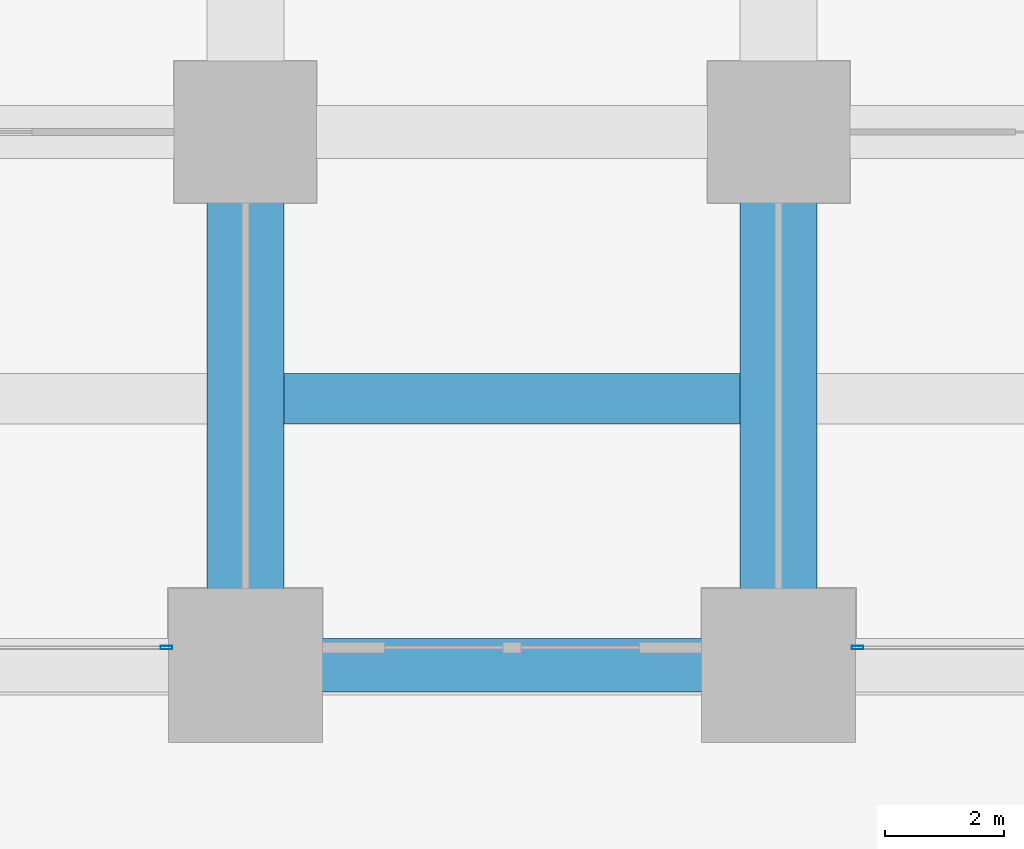
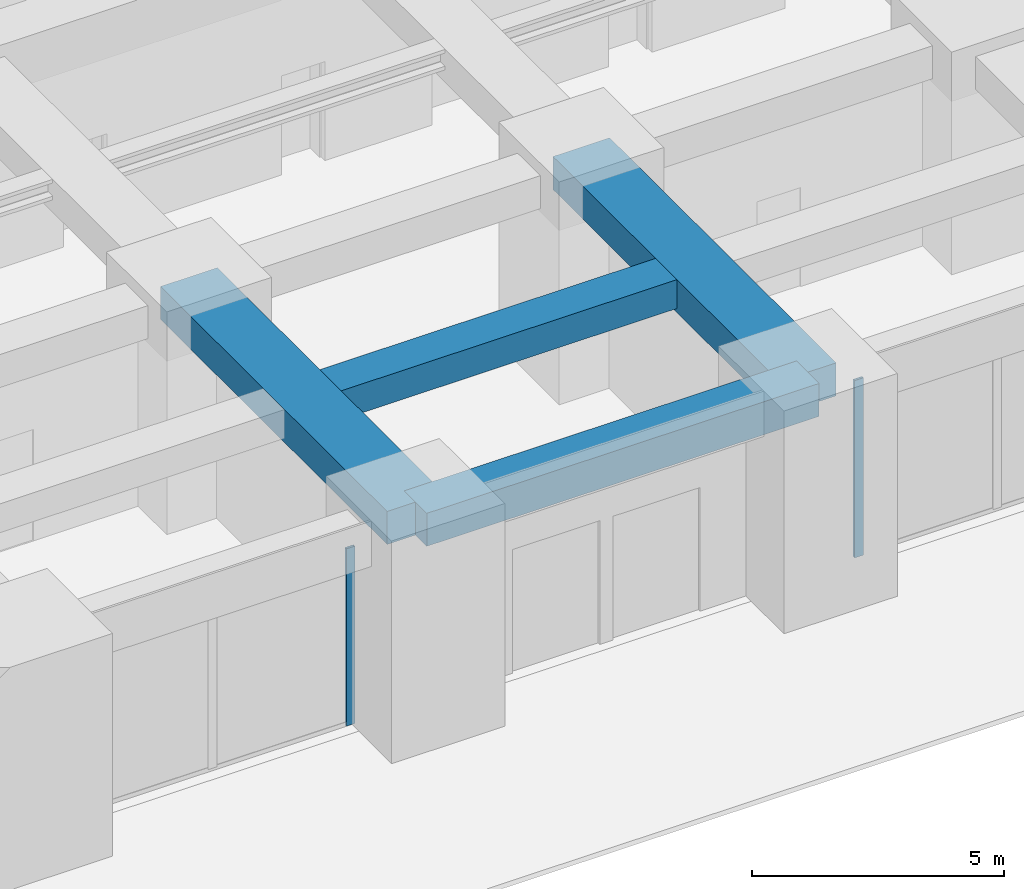
# One storey, part 13 of 56: 4 beams, 2 members, 2 elements without a shape of their own.
"""IFC4 building model written with IfcOpenShell, lengths in metres."""

from ifc_helpers import new_model, si_unit, direction, frame, origin, origin_2d, place, context, subcontext, project, spatial, rectangle, hollow_rectangle, extrude, material, material_profile, profile_set, type_object, element, aggregate, save


model = new_model("IFC4")

# Units and contexts
model_context = context("Model", 3, precision=1e-05, world=origin(), true_north=direction((0.0, 1.0)))
body_context = subcontext(model_context, "Body", "Model", "MODEL_VIEW")
ifc_project = project(units=[si_unit("LENGTHUNIT", "METRE"), si_unit("AREAUNIT", "SQUARE_METRE"), si_unit("VOLUMEUNIT", "CUBIC_METRE"), si_unit("PLANEANGLEUNIT", "RADIAN"), si_unit("MASSUNIT", "GRAM", prefix="KILO")], contexts=[model_context])

# Site, building, storey
site_placement = place(None, origin())
site = spatial("IfcSite", under=ifc_project, at=site_placement, CompositionType="ELEMENT")
building_placement = place(site_placement, origin())
building = spatial("IfcBuilding", under=site, at=building_placement, Name="Zorevar Civic Tower", CompositionType="ELEMENT")
storey_placement = place(building_placement, origin())
storey = spatial("IfcBuildingStorey", under=building, at=storey_placement, Name="L00", CompositionType="ELEMENT", Elevation=0.0)

# Beams
ifc_material_1 = material(Name="Concrete C50/60", Category="concrete")
ifc_material_profile_1 = material_profile(ifc_material_1, rectangle(XDim=1.300048828125, YDim=0.800048828125, at=origin_2d()), Name="RC 1300x800")
ifc_profile_set_1 = profile_set([ifc_material_profile_1], Name="Concrete C50/60")
beam_type_1 = type_object("IfcBeamType", Name="Beam RC 1300x800", PredefinedType="BEAM", material=ifc_profile_set_1)
for number, where, z_axis, x_axis, name in (
    (1, (27.0, 0.0, 4.699951171875), (0.0, 1.0, 0.0), (-1.0, 0.0, 0.0), "Girder L01"),
    (2, (36.0, 0.0, 4.699951171875), (0.0, 1.0, 0.0), (-1.0, 0.0, 0.0), "Girder L01"),
):
    element("IfcBeam", number, at=place(storey_placement, frame(where, z_axis=z_axis, x_axis=x_axis)), inside=storey, type_object=beam_type_1, Name=name, PredefinedType="BEAM", context=body_context, shape_type="SweptSolid", body=[
        extrude(rectangle(XDim=1.300048828125, YDim=0.800048828125, at=origin_2d()), origin(), (0.0, 0.0, 1.0), 9.0),
    ])
ifc_material_2 = material(Name="Concrete C50/60", Category="concrete")
ifc_material_profile_2 = material_profile(ifc_material_2, rectangle(XDim=0.85009765625, YDim=0.699951171875, at=origin_2d()), Name="RC 850x700")
ifc_profile_set_2 = profile_set([ifc_material_profile_2], Name="Concrete C50/60")
beam_type_2 = type_object("IfcBeamType", Name="Beam RC 850x700", PredefinedType="BEAM", material=ifc_profile_set_2)
beam_1_placement = place(storey_placement, frame((27.64990234375, 4.5, 4.75), z_axis=(1.0, 0.0, 0.0), x_axis=(0.0, 1.0, 0.0)))
element("IfcBeam", 3, at=beam_1_placement, inside=storey, type_object=beam_type_2, Name="Secondary beam L01", PredefinedType="BEAM", context=body_context, shape_type="SweptSolid", body=[
    extrude(rectangle(XDim=0.85009765625, YDim=0.699951171875, at=origin_2d()), origin(), (0.0, 0.0, 1.0), 7.7001953125),
])

# Curtain wall, member
ifc_material_3 = material(Name="Dark grey solar-control glass in black aluminium frame", Category="aluminium")
curtain_wall_type = type_object("IfcCurtainWallType", Name="Curtain wall CW1 podium", PredefinedType="NOTDEFINED", material=ifc_material_3)
curtain_wall_1_placement = place(storey_placement, origin())
curtain_wall_1 = element("IfcCurtainWall", 4, at=curtain_wall_1_placement, inside=storey, type_object=curtain_wall_type, Name="CW1 L00", PredefinedType="NOTDEFINED")
ifc_material_4 = material(Name="Aluminium, black anodised", Category="aluminium")
ifc_material_profile_3 = material_profile(ifc_material_4, hollow_rectangle(XDim=0.06005859375, YDim=0.199951171875, WallThickness=0.00390625, at=origin_2d()), Name="AL 200x60x4")
ifc_profile_set_3 = profile_set([ifc_material_profile_3], Name="Aluminium, black anodised")
member_type = type_object("IfcMemberType", Name="CW1 mullion AL 200x60x4", PredefinedType="MULLION", material=ifc_profile_set_3)
member_1_placement = place(storey_placement, frame((25.669921875, 0.300048828125, 0.0), z_axis=(0.0, 0.0, 1.0), x_axis=(0.0, 1.0, 0.0)))
member_1 = element("IfcMember", 5, at=member_1_placement, type_object=member_type, Name="CW1 mullion 3", PredefinedType="MULLION", context=body_context, shape_type="SweptSolid", body=[
    extrude(hollow_rectangle(XDim=0.06005859375, YDim=0.199951171875, WallThickness=0.00390625, at=origin_2d()), origin(), (0.0, 0.0, 1.0), 4.300048828125),
])
aggregate(curtain_wall_1, [member_1])

curtain_wall_2_placement = place(storey_placement, origin())
curtain_wall_2 = element("IfcCurtainWall", 6, at=curtain_wall_2_placement, inside=storey, type_object=curtain_wall_type, Name="CW1 L00", PredefinedType="NOTDEFINED")
member_2_placement = place(storey_placement, frame((37.330078125, 0.300048828125, 0.0), z_axis=(0.0, 0.0, 1.0), x_axis=(0.0, 1.0, 0.0)))
member_2 = element("IfcMember", 7, at=member_2_placement, type_object=member_type, Name="CW1 mullion 1", PredefinedType="MULLION", context=body_context, shape_type="SweptSolid", body=[
    extrude(hollow_rectangle(XDim=0.06005859375, YDim=0.199951171875, WallThickness=0.00390625, at=origin_2d()), origin(), (0.0, 0.0, 1.0), 4.300048828125),
])
aggregate(curtain_wall_2, [member_2])

# Beam
ifc_material_5 = material(Name="Concrete C50/60", Category="concrete")
ifc_material_profile_4 = material_profile(ifc_material_5, rectangle(XDim=0.89990234375, YDim=0.800048828125, at=origin_2d()), Name="RC 900x800")
ifc_profile_set_4 = profile_set([ifc_material_profile_4], Name="Concrete C50/60")
beam_type_3 = type_object("IfcBeamType", Name="Edge beam RC 900x800", PredefinedType="SPANDREL", material=ifc_profile_set_4)
beam_2_placement = place(storey_placement, frame((27.0, 0.0, 4.699951171875), z_axis=(1.0, 0.0, 0.0), x_axis=(0.0, 1.0, 0.0)))
element("IfcBeam", 8, at=beam_2_placement, inside=storey, type_object=beam_type_3, Name="Edge beam L01", PredefinedType="SPANDREL", context=body_context, shape_type="SweptSolid", body=[
    extrude(rectangle(XDim=0.89990234375, YDim=0.800048828125, at=origin_2d()), origin(), (0.0, 0.0, 1.0), 9.0),
])

save(model, "model.ifc")
